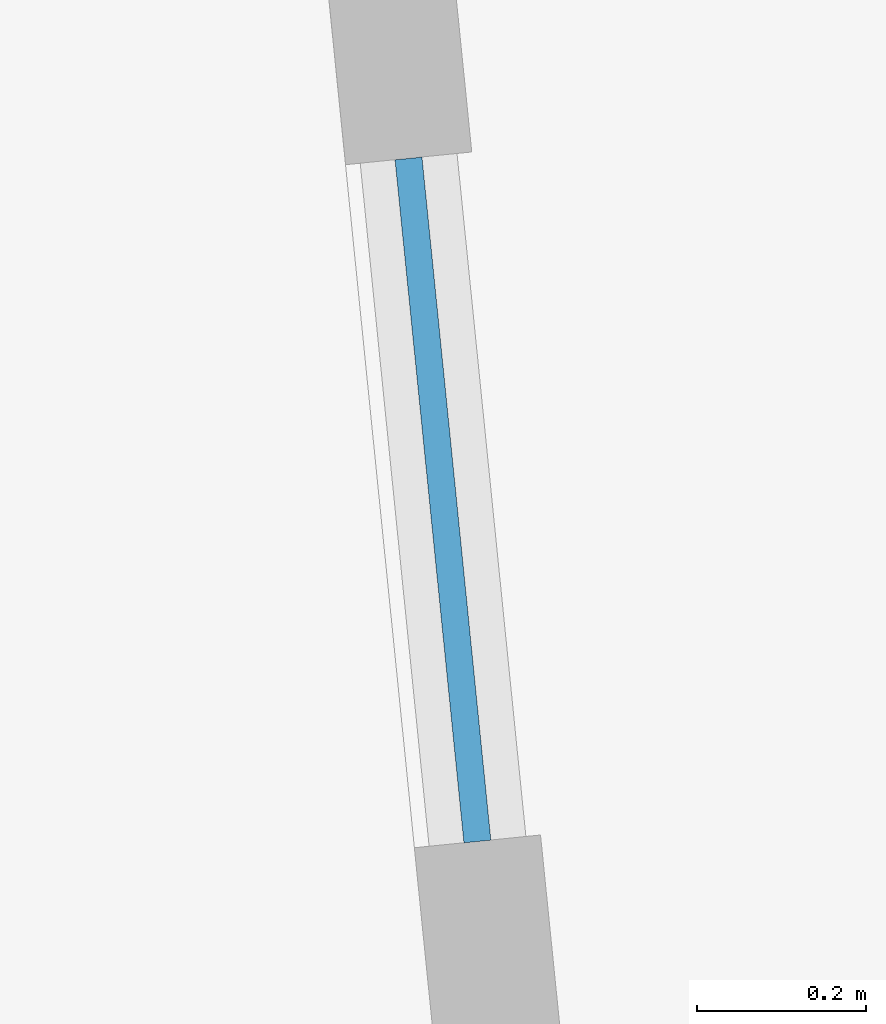
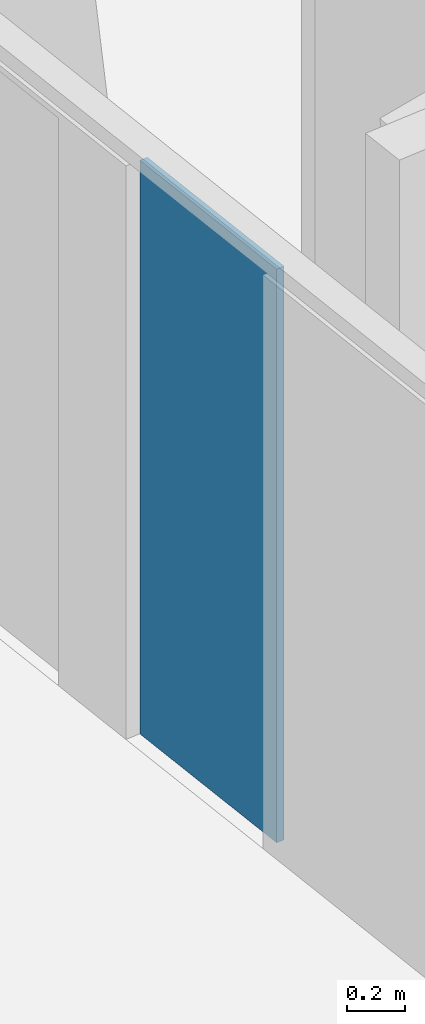
# One storey, part 15 of 26: 1 plate, 1 element without a shape of its own.
"""IFC4 building model written with IfcOpenShell, lengths in metres."""

from ifc_helpers import new_model, si_unit, direction, frame, origin, origin_2d, place, context, subcontext, project, spatial, rectangle, extrude, material, layer, layer_set, type_object, element, aggregate, save


model = new_model("IFC4")

# Units and contexts
model_context = context("Model", 3, precision=1e-05, world=origin(), true_north=direction((0.0, 1.0)))
body_context = subcontext(model_context, "Body", "Model", "MODEL_VIEW")
ifc_project = project(units=[si_unit("LENGTHUNIT", "METRE"), si_unit("AREAUNIT", "SQUARE_METRE"), si_unit("VOLUMEUNIT", "CUBIC_METRE"), si_unit("PLANEANGLEUNIT", "RADIAN"), si_unit("MASSUNIT", "GRAM", prefix="KILO")], contexts=[model_context])

# Site, building, storey
site_placement = place(None, origin())
site = spatial("IfcSite", under=ifc_project, at=site_placement, CompositionType="ELEMENT")
building_placement = place(site_placement, origin())
building = spatial("IfcBuilding", under=site, at=building_placement, Name="Verdalira Terraces Hotel", CompositionType="ELEMENT")
storey_placement = place(building_placement, frame((0.0, 0.0, 56.5)))
storey = spatial("IfcBuildingStorey", under=building, at=storey_placement, Name="L12", CompositionType="ELEMENT", Elevation=56.5)

# Curtain wall, plate
ifc_material_1 = material(Name="Clear glass", Category="glass")
ifc_layer_1 = layer(ifc_material_1, 0.14990234375)
ifc_layer_set_1 = layer_set([ifc_layer_1], Name="CW2 curtain wall")
curtain_wall_type = type_object("IfcCurtainWallType", Name="CW2 curtain wall", PredefinedType="NOTDEFINED", material=ifc_layer_set_1)
curtain_wall_placement = place(storey_placement, origin())
curtain_wall = element("IfcCurtainWall", 1, at=curtain_wall_placement, inside=storey, type_object=curtain_wall_type, Name="CW2 curtain wall L12 edge 10", PredefinedType="NOTDEFINED")
ifc_material_2 = material(Name="Clear glass", Category="glass")
ifc_layer_2 = layer(ifc_material_2, 0.031982421875)
ifc_layer_set_2 = layer_set([ifc_layer_2], Name="CW2 glass unit 32")
plate_type = type_object("IfcPlateType", Name="CW2 glass unit 32", PredefinedType="CURTAIN_PANEL", material=ifc_layer_set_2)
plate_placement = place(storey_placement, frame((-10.006836, 35.18457, 0.0), z_axis=(0.0, 0.0, 1.0), x_axis=(0.100361715, -0.994951017, 0.0)))
plate = element("IfcPlate", 2, at=plate_placement, type_object=plate_type, Name="CW2 glass unit", PredefinedType="CURTAIN_PANEL", context=body_context, shape_type="SweptSolid", body=[
    extrude(rectangle(XDim=0.811523, YDim=0.031982, at=origin_2d()), origin(), (0.0, 0.0, 1.0), 2.425049),
])
aggregate(curtain_wall, [plate])

save(model, "model.ifc")
